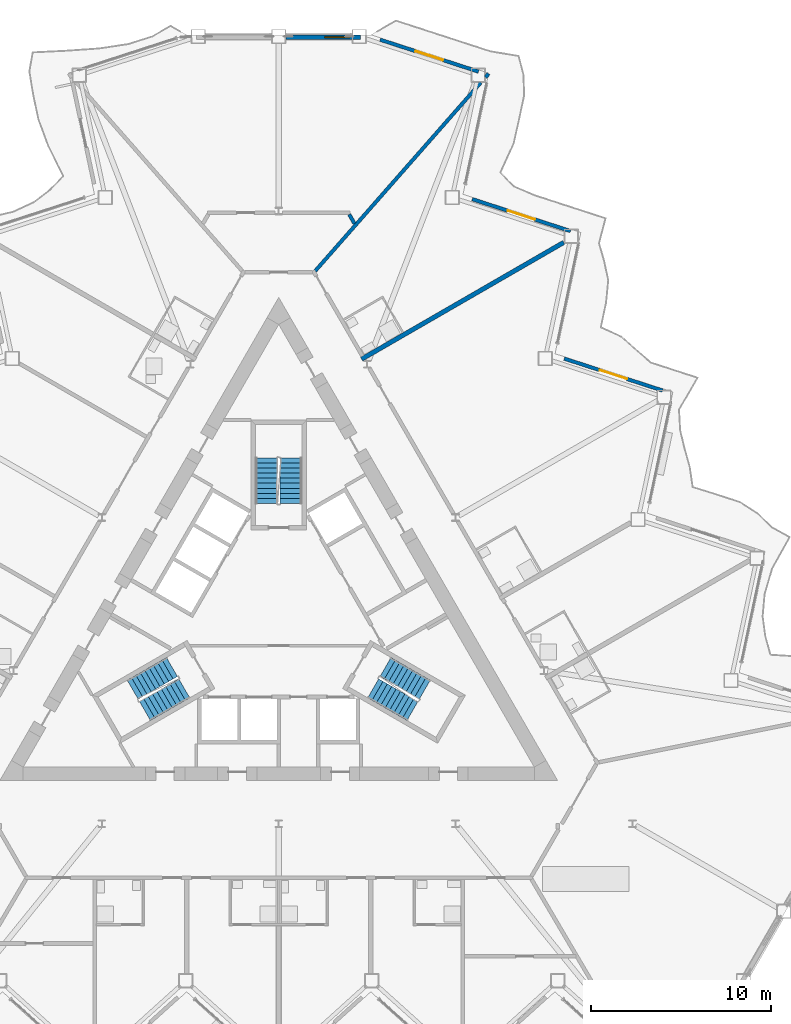
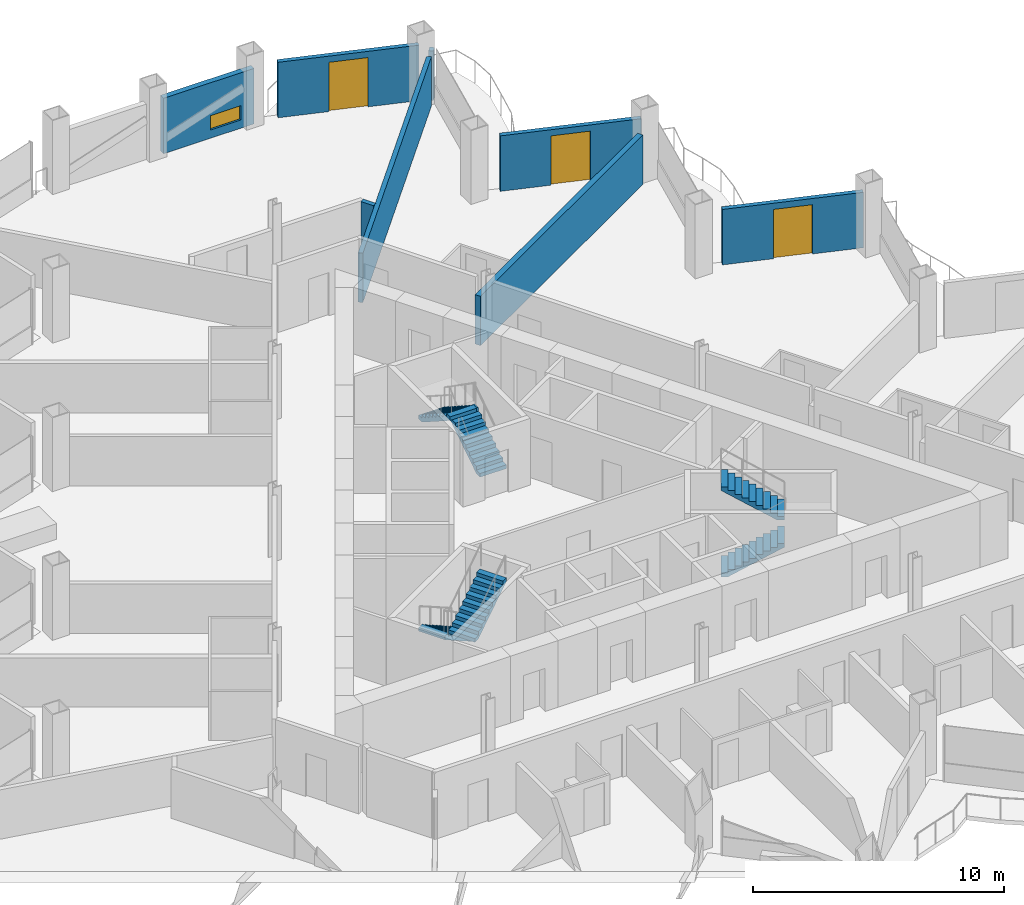
# One storey, part 15 of 23: 8 walls, 6 stair flights, 3 doors, 1 window, 4 openings, 3 elements without a shape of their own.
"""IFC4 building model written with IfcOpenShell, lengths in metres."""

from ifc_helpers import new_model, si_unit, direction, frame, frame_2d, origin, place, context, subcontext, project, spatial, polyline, rectangle, outline, extrude, material, layer, layer_set, type_object, element, fill, aggregate, save


model = new_model("IFC4")

# Units and contexts
model_context = context("Model", 3, precision=1e-05, world=origin(), true_north=direction((0.0, 1.0)))
body_context = subcontext(model_context, "Body", "Model", "MODEL_VIEW")
ifc_project = project(units=[si_unit("LENGTHUNIT", "METRE"), si_unit("AREAUNIT", "SQUARE_METRE"), si_unit("VOLUMEUNIT", "CUBIC_METRE"), si_unit("PLANEANGLEUNIT", "RADIAN"), si_unit("MASSUNIT", "GRAM", prefix="KILO")], contexts=[model_context])

# Site, building, storey
site_placement = place(None, origin())
site = spatial("IfcSite", under=ifc_project, at=site_placement, CompositionType="ELEMENT")
building_placement = place(site_placement, origin())
building = spatial("IfcBuilding", under=site, at=building_placement, Name="Cormorant Prow Tower", CompositionType="ELEMENT")
storey_placement = place(building_placement, frame((0.0, 0.0, 176.39990234375)))
storey = spatial("IfcBuildingStorey", under=building, at=storey_placement, Name="L37", CompositionType="ELEMENT", Elevation=176.39990234375)

# Walls
ifc_material_1 = material(Name="Gypsum board demising wall")
ifc_layer_1 = layer(ifc_material_1, 0.199951171875)
ifc_layer_set_1 = layer_set([ifc_layer_1], Name="Gypsum board demising wall")
wall_type_1 = type_object("IfcWallType", Name="Demising wall 200", PredefinedType="PARTITIONING", material=ifc_layer_set_1)
wall_1_placement = place(storey_placement, frame((2.029052734375, 19.372802734375, 0.0), z_axis=(0.0, 0.0, 1.0), x_axis=(0.66019067586, 0.751098043871, 0.0)))
element("IfcWall", 1, at=wall_1_placement, inside=storey, type_object=wall_type_1, Name="Demising wall", PredefinedType="PARTITIONING", context=body_context, shape_type="SweptSolid", body=[
    extrude(rectangle(XDim=13.938232421875, YDim=0.199951171875, at=frame_2d((6.96923828125, 0.0))), origin(), (0.0, 0.0, 1.0), 2.404296875),
])
wall_2_placement = place(storey_placement, frame((3.918212890625, 22.51123046875, 0.0), z_axis=(0.0, 0.0, 1.0), x_axis=(0.500105011351, -0.865964766963, 0.0)))
element("IfcWall", 2, at=wall_2_placement, inside=storey, type_object=wall_type_1, Name="Demising wall", PredefinedType="PARTITIONING", context=body_context, shape_type="SweptSolid", body=[
    extrude(rectangle(XDim=0.589111328125, YDim=0.199951171875, at=frame_2d((0.29443359375, 0.0))), origin(), (0.0, 0.0, 1.0), 2.404296875),
])
wall_3_placement = place(storey_placement, frame((11.489990234375, 30.13671875, 0.0), z_axis=(0.0, 0.0, 1.0), x_axis=(0.660272933047, 0.751025734503, 0.0)))
element("IfcWall", 3, at=wall_3_placement, inside=storey, type_object=wall_type_1, Name="Demising wall", PredefinedType="PARTITIONING", context=body_context, shape_type="SweptSolid", body=[
    extrude(rectangle(XDim=0.263671875, YDim=0.199951171875, at=frame_2d((0.1318359375, 0.0))), origin(), (0.0, 0.0, 1.0), 2.404296875),
])
ifc_material_2 = material(Name="Acoustic gypsum party wall")
ifc_layer_2 = layer(ifc_material_2, 0.25)
ifc_layer_set_2 = layer_set([ifc_layer_2], Name="Acoustic gypsum party wall")
wall_type_2 = type_object("IfcWallType", Name="Suite party wall 250", PredefinedType="PARTITIONING", material=ifc_layer_set_2)
wall_4_placement = place(storey_placement, frame((4.6044921875, 14.47265625, 0.0), z_axis=(0.0, 0.0, 1.0), x_axis=(0.866029765546, 0.499992445131, 0.0)))
element("IfcWall", 4, at=wall_4_placement, inside=storey, type_object=wall_type_2, Name="Suite party wall", PredefinedType="PARTITIONING", context=body_context, shape_type="SweptSolid", body=[
    extrude(rectangle(XDim=12.967529296875, YDim=0.25, at=frame_2d((6.48388671875, 0.0))), origin(), (0.0, 0.0, 1.0), 2.404296875),
])

# Wall, opening, window
ifc_material_3 = material(Name="Terracotta", Category="masonry")
ifc_layer_3 = layer(ifc_material_3, 0.25)
ifc_layer_set_3 = layer_set([ifc_layer_3], Name="Terracotta")
wall_type_3 = type_object("IfcWallType", Name="Terracotta bay wall 250", PredefinedType="SOLIDWALL", material=ifc_layer_set_3)
wall_5_placement = place(storey_placement, frame((4.555908203125, 32.368896484375, 0.0), z_axis=(0.0, 0.0, 1.0), x_axis=(-1.0, 0.0, 0.0)))
wall_5 = element("IfcWall", 5, at=wall_5_placement, inside=storey, type_object=wall_type_3, Name="Terracotta bay wall N00", PredefinedType="SOLIDWALL", context=body_context, shape_type="SweptSolid", body=[
    extrude(rectangle(XDim=4.156005859375, YDim=0.25, at=frame_2d((2.078125, 0.0))), origin(), (0.0, 0.0, 1.0), 2.700927734375),
])
opening_1_placement = place(wall_5_placement, frame((0.60009765625, 0.0, 0.39990234375)))
opening_1 = element("IfcOpeningElement", 6, at=opening_1_placement, cuts=wall_5, Name="Opening WN4", PredefinedType="OPENING", context=body_context, shape_type="SweptSolid", body=[
    extrude(rectangle(XDim=1.39990234375, YDim=0.699951171875, at=frame_2d((0.699951171875, 0.35009765625))), frame((0.0, 0.135009765625, 0.0), z_axis=(0.0, -1.0, 0.0), x_axis=(1.0, 0.0, 0.0)), (0.0, 0.0, 1.0), 0.27001953125),
])
ifc_material_4 = material(Name="Aluminium 6063-T6", Category="aluminium")
window_type = type_object("IfcWindowType", Name="Corner bay window 1400x700", PartitioningType="SINGLE_PANEL", PredefinedType="WINDOW", material=ifc_material_4)
window_placement = place(opening_1_placement, origin())
window = element("IfcWindow", 7, at=window_placement, inside=storey, type_object=window_type, Name="Corner bay window N00", OverallHeight=0.699951171875, OverallWidth=1.39990234375, PartitioningType="SINGLE_PANEL", PredefinedType="WINDOW", context=body_context, shape_type="SweptSolid", body=[
    extrude(rectangle(XDim=1.39990234375, YDim=0.699951171875, at=frame_2d((0.699951171875, 0.35009765625))), frame((0.0, 0.030029296875, 0.0), z_axis=(0.0, -1.0, 0.0), x_axis=(1.0, 0.0, 0.0)), (0.0, 0.0, 1.0), 0.06005859375),
])
fill(opening_1, window)

# Wall, opening, door
ifc_material_5 = material(Name="Terracotta", Category="masonry")
ifc_layer_4 = layer(ifc_material_5, 0.199951171875)
ifc_layer_set_4 = layer_set([ifc_layer_4], Name="Terracotta")
wall_type_4 = type_object("IfcWallType", Name="Terracotta jamb wall 200", PredefinedType="SOLIDWALL", material=ifc_layer_set_4)
wall_6_placement = place(storey_placement, frame((21.331298828125, 12.725830078125, 0.0), z_axis=(0.0, 0.0, 1.0), x_axis=(-0.95105997304, 0.309006355405, 0.0)))
wall_6 = element("IfcWall", 8, at=wall_6_placement, inside=storey, type_object=wall_type_4, Name="Terracotta jamb wall ENE05", PredefinedType="SOLIDWALL", context=body_context, shape_type="SweptSolid", body=[
    extrude(rectangle(XDim=5.747802734375, YDim=0.199951171875, at=frame_2d((2.8740234375, 0.0))), origin(), (0.0, 0.0, 1.0), 2.700927734375),
])
opening_2_placement = place(wall_6_placement, frame((2.073974609375, 0.0, 0.0)))
opening_2 = element("IfcOpeningElement", 9, at=opening_2_placement, cuts=wall_6, Name="Opening ED37.08", PredefinedType="OPENING", context=body_context, shape_type="SweptSolid", body=[
    extrude(rectangle(XDim=1.60009765625, YDim=2.39990234375, at=frame_2d((0.800048828125, 1.199951171875))), frame((0.0, 0.10986328125, 0.0), z_axis=(0.0, -1.0, 0.0), x_axis=(1.0, 0.0, 0.0)), (0.0, 0.0, 1.0), 0.219970703125),
])
ifc_material_6 = material(Name="Aluminium 6063-T6", Category="aluminium")
door_type = type_object("IfcDoorType", Name="Balcony door 1600x2400", OperationType="DOUBLE_DOOR_SINGLE_SWING", PredefinedType="DOOR", material=ifc_material_6)
door_1_placement = place(opening_2_placement, origin())
door_1 = element("IfcDoor", 10, at=door_1_placement, inside=storey, type_object=door_type, Name="Balcony door ENE05 ED37.08", OperationType="DOUBLE_DOOR_SINGLE_SWING", OverallHeight=2.39990234375, OverallWidth=1.60009765625, PredefinedType="DOOR", context=body_context, shape_type="SweptSolid", body=[
    extrude(rectangle(XDim=1.60009765625, YDim=2.39990234375, at=frame_2d((0.800048828125, 1.199951171875))), frame((0.0, 0.02490234375, 0.0), z_axis=(0.0, -1.0, 0.0), x_axis=(1.0, 0.0, 0.0)), (0.0, 0.0, 1.0), 0.050048828125),
])
fill(opening_2, door_1)

wall_7_placement = place(storey_placement, frame((16.215576171875, 21.58642578125, 0.0), z_axis=(0.0, 0.0, 1.0), x_axis=(-0.95105997304, 0.309006355405, 0.0)))
wall_7 = element("IfcWall", 11, at=wall_7_placement, inside=storey, type_object=wall_type_4, Name="Terracotta jamb wall ENE07", PredefinedType="SOLIDWALL", context=body_context, shape_type="SweptSolid", body=[
    extrude(rectangle(XDim=5.747802734375, YDim=0.199951171875, at=frame_2d((2.8740234375, 0.0))), origin(), (0.0, 0.0, 1.0), 2.700927734375),
])
opening_3_placement = place(wall_7_placement, frame((2.073974609375, 0.0, 0.0)))
opening_3 = element("IfcOpeningElement", 12, at=opening_3_placement, cuts=wall_7, Name="Opening ED37.09", PredefinedType="OPENING", context=body_context, shape_type="SweptSolid", body=[
    extrude(rectangle(XDim=1.60009765625, YDim=2.39990234375, at=frame_2d((0.800048828125, 1.199951171875))), frame((0.0, 0.10986328125, 0.0), z_axis=(0.0, -1.0, 0.0), x_axis=(1.0, 0.0, 0.0)), (0.0, 0.0, 1.0), 0.219970703125),
])
door_2_placement = place(opening_3_placement, origin())
door_2 = element("IfcDoor", 13, at=door_2_placement, inside=storey, type_object=door_type, Name="Balcony door ENE07 ED37.09", OperationType="DOUBLE_DOOR_SINGLE_SWING", OverallHeight=2.39990234375, OverallWidth=1.60009765625, PredefinedType="DOOR", context=body_context, shape_type="SweptSolid", body=[
    extrude(rectangle(XDim=1.60009765625, YDim=2.39990234375, at=frame_2d((0.800048828125, 1.199951171875))), frame((0.0, 0.02490234375, 0.0), z_axis=(0.0, -1.0, 0.0), x_axis=(1.0, 0.0, 0.0)), (0.0, 0.0, 1.0), 0.050048828125),
])
fill(opening_3, door_2)

wall_8_placement = place(storey_placement, frame((11.099853515625, 30.447021484375, 0.0), z_axis=(0.0, 0.0, 1.0), x_axis=(-0.95105997304, 0.309006355405, 0.0)))
wall_8 = element("IfcWall", 14, at=wall_8_placement, inside=storey, type_object=wall_type_4, Name="Terracotta jamb wall ENE09", PredefinedType="SOLIDWALL", context=body_context, shape_type="SweptSolid", body=[
    extrude(rectangle(XDim=5.747802734375, YDim=0.199951171875, at=frame_2d((2.8740234375, 0.0))), origin(), (0.0, 0.0, 1.0), 2.700927734375),
])
opening_4_placement = place(wall_8_placement, frame((2.073974609375, 0.0, 0.0)))
opening_4 = element("IfcOpeningElement", 15, at=opening_4_placement, cuts=wall_8, Name="Opening ED37.10", PredefinedType="OPENING", context=body_context, shape_type="SweptSolid", body=[
    extrude(rectangle(XDim=1.60009765625, YDim=2.39990234375, at=frame_2d((0.800048828125, 1.199951171875))), frame((0.0, 0.10986328125, 0.0), z_axis=(0.0, -1.0, 0.0), x_axis=(1.0, 0.0, 0.0)), (0.0, 0.0, 1.0), 0.219970703125),
])
door_3_placement = place(opening_4_placement, origin())
door_3 = element("IfcDoor", 16, at=door_3_placement, inside=storey, type_object=door_type, Name="Balcony door ENE09 ED37.10", OperationType="DOUBLE_DOOR_SINGLE_SWING", OverallHeight=2.39990234375, OverallWidth=1.60009765625, PredefinedType="DOOR", context=body_context, shape_type="SweptSolid", body=[
    extrude(rectangle(XDim=1.60009765625, YDim=2.39990234375, at=frame_2d((0.800048828125, 1.199951171875))), frame((0.0, 0.02490234375, 0.0), z_axis=(0.0, -1.0, 0.0), x_axis=(1.0, 0.0, 0.0)), (0.0, 0.0, 1.0), 0.050048828125),
])
fill(opening_4, door_3)

# Stair, stair flights
ifc_material_7 = material(Name="Exit stair 20 risers")
stair_type = type_object("IfcStairType", Name="Exit stair 20 risers", PredefinedType="HALF_TURN_STAIR", material=ifc_material_7)
stair_1_placement = place(storey_placement, origin())
stair_1 = element("IfcStair", 17, at=stair_1_placement, inside=storey, type_object=stair_type, Name="L37 Exit stair ST1", PredefinedType="HALF_TURN_STAIR")
ifc_material_8 = material(Name="Concrete 5000 psi", Category="concrete")
stair_flight_type = type_object("IfcStairFlightType", Name="Stair flight 1219", PredefinedType="STRAIGHT", material=ifc_material_8)
stair_flight_1_placement = place(storey_placement, frame((-5.93310546875, -2.635009765625, 0.0), z_axis=(0.0, 0.0, 1.0), x_axis=(-0.866025403784, -0.5, 0.0)))
stair_flight_1 = element("IfcStairFlight", 18, at=stair_flight_1_placement, type_object=stair_flight_type, Name="ST1 flight 1", NumberOfRisers=10, NumberOfTreads=9, PredefinedType="STRAIGHT", RiserHeight=0.18, TreadLength=0.28, context=body_context, shape_type="SweptSolid", body=[
    extrude(outline(polyline([(0.0, 0.0), (0.0, 0.179931640625), (0.280029296875, 0.179931640625), (0.280029296875, 0.360107421875), (0.56005859375, 0.360107421875), (0.56005859375, 0.5400390625), (0.840087890625, 0.5400390625), (0.840087890625, 0.719970703125), (1.1201171875, 0.719970703125), (1.1201171875, 0.89990234375), (1.39990234375, 0.89990234375), (1.39990234375, 1.080078125), (1.679931640625, 1.080078125), (1.679931640625, 1.260009765625), (1.9599609375, 1.260009765625), (1.9599609375, 1.43994140625), (2.239990234375, 1.43994140625), (2.239990234375, 1.6201171875), (2.52001953125, 1.6201171875), (2.52001953125, 1.800048828125), (2.52001953125, 1.44189453125), (0.277099609375, 0.0), (0.0, 0.0)])), frame((0.0, 0.609375, 0.0), z_axis=(0.0, -1.0, 0.0), x_axis=(1.0, 0.0, 0.0)), (0.0, 0.0, 1.0), 1.218994140625),
])
stair_flight_2_placement = place(storey_placement, frame((-7.43115234375, -5.080810546875, 1.800048828125), z_axis=(0.0, 0.0, 1.0), x_axis=(0.866025403784, 0.5, 0.0)))
stair_flight_2 = element("IfcStairFlight", 19, at=stair_flight_2_placement, type_object=stair_flight_type, Name="ST1 flight 2", NumberOfRisers=10, NumberOfTreads=9, PredefinedType="STRAIGHT", RiserHeight=0.18, TreadLength=0.28, context=body_context, shape_type="SweptSolid", body=[
    extrude(outline(polyline([(0.0, 0.0), (0.0, 0.179931640625), (0.280029296875, 0.179931640625), (0.280029296875, 0.360107421875), (0.56005859375, 0.360107421875), (0.56005859375, 0.5400390625), (0.840087890625, 0.5400390625), (0.840087890625, 0.719970703125), (1.1201171875, 0.719970703125), (1.1201171875, 0.89990234375), (1.39990234375, 0.89990234375), (1.39990234375, 1.080078125), (1.679931640625, 1.080078125), (1.679931640625, 1.260009765625), (1.9599609375, 1.260009765625), (1.9599609375, 1.43994140625), (2.239990234375, 1.43994140625), (2.239990234375, 1.6201171875), (2.52001953125, 1.6201171875), (2.52001953125, 1.800048828125), (2.52001953125, 1.44189453125), (0.277099609375, 0.0), (0.0, 0.0)])), frame((0.0, 0.609375, 0.0), z_axis=(0.0, -1.0, 0.0), x_axis=(1.0, 0.0, 0.0)), (0.0, 0.0, 1.0), 1.218994140625),
])
aggregate(stair_1, [stair_flight_1, stair_flight_2])

stair_2_placement = place(storey_placement, origin())
stair_2 = element("IfcStair", 20, at=stair_2_placement, inside=storey, type_object=stair_type, Name="L37 Exit stair ST2", PredefinedType="HALF_TURN_STAIR")
stair_flight_3_placement = place(storey_placement, frame((5.24853515625, -3.82080078125, 0.0), z_axis=(0.0, 0.0, 1.0), x_axis=(0.866025403784, -0.5, 0.0)))
stair_flight_3 = element("IfcStairFlight", 21, at=stair_flight_3_placement, type_object=stair_flight_type, Name="ST2 flight 1", NumberOfRisers=10, NumberOfTreads=9, PredefinedType="STRAIGHT", RiserHeight=0.18, TreadLength=0.28, context=body_context, shape_type="SweptSolid", body=[
    extrude(outline(polyline([(0.0, 0.0), (0.0, 0.179931640625), (0.280029296875, 0.179931640625), (0.280029296875, 0.360107421875), (0.56005859375, 0.360107421875), (0.56005859375, 0.5400390625), (0.840087890625, 0.5400390625), (0.840087890625, 0.719970703125), (1.1201171875, 0.719970703125), (1.1201171875, 0.89990234375), (1.39990234375, 0.89990234375), (1.39990234375, 1.080078125), (1.679931640625, 1.080078125), (1.679931640625, 1.260009765625), (1.9599609375, 1.260009765625), (1.9599609375, 1.43994140625), (2.239990234375, 1.43994140625), (2.239990234375, 1.6201171875), (2.52001953125, 1.6201171875), (2.52001953125, 1.800048828125), (2.52001953125, 1.44189453125), (0.277099609375, 0.0), (0.0, 0.0)])), frame((0.0, 0.609375, 0.0), z_axis=(0.0, -1.0, 0.0), x_axis=(1.0, 0.0, 0.0)), (0.0, 0.0, 1.0), 1.218994140625),
])
stair_flight_4_placement = place(storey_placement, frame((8.115478515625, -3.89501953125, 1.800048828125), z_axis=(0.0, 0.0, 1.0), x_axis=(-0.866025403784, 0.5, 0.0)))
stair_flight_4 = element("IfcStairFlight", 22, at=stair_flight_4_placement, type_object=stair_flight_type, Name="ST2 flight 2", NumberOfRisers=10, NumberOfTreads=9, PredefinedType="STRAIGHT", RiserHeight=0.18, TreadLength=0.28, context=body_context, shape_type="SweptSolid", body=[
    extrude(outline(polyline([(0.0, 0.0), (0.0, 0.179931640625), (0.280029296875, 0.179931640625), (0.280029296875, 0.360107421875), (0.56005859375, 0.360107421875), (0.56005859375, 0.5400390625), (0.840087890625, 0.5400390625), (0.840087890625, 0.719970703125), (1.1201171875, 0.719970703125), (1.1201171875, 0.89990234375), (1.39990234375, 0.89990234375), (1.39990234375, 1.080078125), (1.679931640625, 1.080078125), (1.679931640625, 1.260009765625), (1.9599609375, 1.260009765625), (1.9599609375, 1.43994140625), (2.239990234375, 1.43994140625), (2.239990234375, 1.6201171875), (2.52001953125, 1.6201171875), (2.52001953125, 1.800048828125), (2.52001953125, 1.44189453125), (0.277099609375, 0.0), (0.0, 0.0)])), frame((0.0, 0.609375, 0.0), z_axis=(0.0, -1.0, 0.0), x_axis=(1.0, 0.0, 0.0)), (0.0, 0.0, 1.0), 1.218994140625),
])
aggregate(stair_2, [stair_flight_3, stair_flight_4])

stair_3_placement = place(storey_placement, origin())
stair_3 = element("IfcStair", 23, at=stair_3_placement, inside=storey, type_object=stair_type, Name="L37 Exit stair ST3", PredefinedType="HALF_TURN_STAIR")
stair_flight_5_placement = place(storey_placement, frame((0.6845703125, 6.455810546875, 0.0), z_axis=(0.0, 0.0, 1.0), x_axis=(0.0, 1.0, 0.0)))
stair_flight_5 = element("IfcStairFlight", 24, at=stair_flight_5_placement, type_object=stair_flight_type, Name="ST3 flight 1", NumberOfRisers=10, NumberOfTreads=9, PredefinedType="STRAIGHT", RiserHeight=0.18, TreadLength=0.28, context=body_context, shape_type="SweptSolid", body=[
    extrude(outline(polyline([(0.0, 0.0), (0.0, 0.179931640625), (0.280029296875, 0.179931640625), (0.280029296875, 0.360107421875), (0.56005859375, 0.360107421875), (0.56005859375, 0.5400390625), (0.840087890625, 0.5400390625), (0.840087890625, 0.719970703125), (1.1201171875, 0.719970703125), (1.1201171875, 0.89990234375), (1.39990234375, 0.89990234375), (1.39990234375, 1.080078125), (1.679931640625, 1.080078125), (1.679931640625, 1.260009765625), (1.9599609375, 1.260009765625), (1.9599609375, 1.43994140625), (2.239990234375, 1.43994140625), (2.239990234375, 1.6201171875), (2.52001953125, 1.6201171875), (2.52001953125, 1.800048828125), (2.52001953125, 1.44189453125), (0.277099609375, 0.0), (0.0, 0.0)])), frame((0.0, 0.609375, 0.0), z_axis=(0.0, -1.0, 0.0), x_axis=(1.0, 0.0, 0.0)), (0.0, 0.0, 1.0), 1.218994140625),
])
stair_flight_6_placement = place(storey_placement, frame((-0.6845703125, 8.975830078125, 1.800048828125), z_axis=(0.0, 0.0, 1.0), x_axis=(0.0, -1.0, 0.0)))
stair_flight_6 = element("IfcStairFlight", 25, at=stair_flight_6_placement, type_object=stair_flight_type, Name="ST3 flight 2", NumberOfRisers=10, NumberOfTreads=9, PredefinedType="STRAIGHT", RiserHeight=0.18, TreadLength=0.28, context=body_context, shape_type="SweptSolid", body=[
    extrude(outline(polyline([(0.0, 0.0), (0.0, 0.179931640625), (0.280029296875, 0.179931640625), (0.280029296875, 0.360107421875), (0.56005859375, 0.360107421875), (0.56005859375, 0.5400390625), (0.840087890625, 0.5400390625), (0.840087890625, 0.719970703125), (1.1201171875, 0.719970703125), (1.1201171875, 0.89990234375), (1.39990234375, 0.89990234375), (1.39990234375, 1.080078125), (1.679931640625, 1.080078125), (1.679931640625, 1.260009765625), (1.9599609375, 1.260009765625), (1.9599609375, 1.43994140625), (2.239990234375, 1.43994140625), (2.239990234375, 1.6201171875), (2.52001953125, 1.6201171875), (2.52001953125, 1.800048828125), (2.52001953125, 1.44189453125), (0.277099609375, 0.0), (0.0, 0.0)])), frame((0.0, 0.609375, 0.0), z_axis=(0.0, -1.0, 0.0), x_axis=(1.0, 0.0, 0.0)), (0.0, 0.0, 1.0), 1.218994140625),
])
aggregate(stair_3, [stair_flight_5, stair_flight_6])

save(model, "model.ifc")
